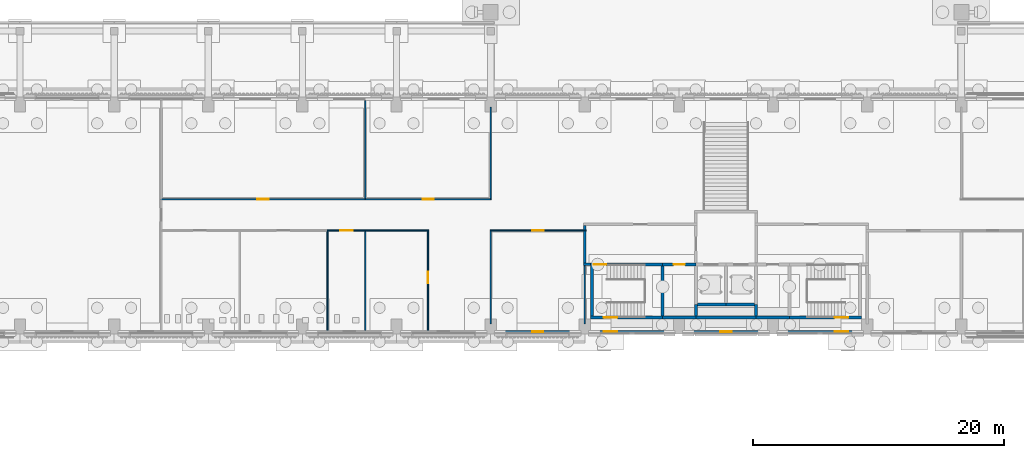
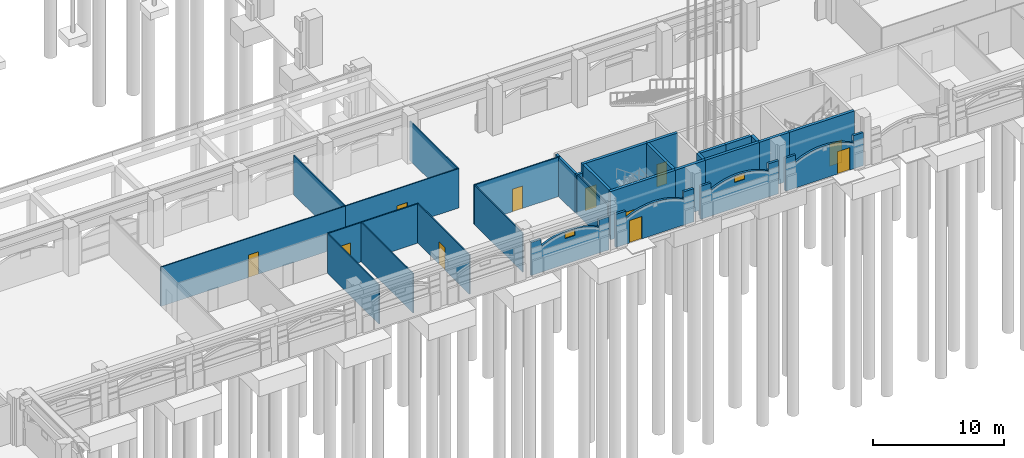
# One storey, part 34 of 99: 32 walls, 11 doors, 2 windows, 13 openings.
"""IFC4 building model written with IfcOpenShell, lengths in metres."""

from ifc_helpers import new_model, si_unit, direction, frame, frame_2d, origin, place, context, subcontext, project, spatial, polyline, rectangle, outline, extrude, material, layer, layer_set, type_object, element, fill, save


model = new_model("IFC4")

# Units and contexts
model_context = context("Model", 3, precision=1e-05, world=origin(), true_north=direction((0.0, 1.0)))
body_context = subcontext(model_context, "Body", "Model", "MODEL_VIEW")
ifc_project = project(units=[si_unit("LENGTHUNIT", "METRE"), si_unit("AREAUNIT", "SQUARE_METRE"), si_unit("VOLUMEUNIT", "CUBIC_METRE"), si_unit("PLANEANGLEUNIT", "RADIAN"), si_unit("MASSUNIT", "GRAM", prefix="KILO")], contexts=[model_context])

# Site, building, storey
site_placement = place(None, origin())
site = spatial("IfcSite", under=ifc_project, at=site_placement, CompositionType="ELEMENT")
building_placement = place(site_placement, origin())
building = spatial("IfcBuilding", under=site, at=building_placement, Name="Cour d'Honneur Mobility Palace", CompositionType="ELEMENT")
storey_placement = place(building_placement, origin())
storey = spatial("IfcBuildingStorey", under=building, at=storey_placement, Name="L00", CompositionType="ELEMENT", Elevation=0.0)

# Wall, opening, window
ifc_material_1 = material(Name="Concrete C40", Category="concrete")
ifc_layer_1 = layer(ifc_material_1, 0.199951171875)
ifc_layer_set_1 = layer_set([ifc_layer_1], Name="Concrete C40")
wall_type_1 = type_object("IfcWallType", Name="Arch infill panel", PredefinedType="SOLIDWALL", material=ifc_layer_set_1)
wall_1_placement = place(storey_placement, frame((62.699951171875, 44.449951171875, 0.0), z_axis=(0.0, 0.0, 1.0), x_axis=(1.0, 0.0, 0.0)))
wall_1 = element("IfcWall", 1, at=wall_1_placement, inside=storey, type_object=wall_type_1, Name="Arch infill panel IP-15", PredefinedType="SOLIDWALL", context=body_context, shape_type="SweptSolid", body=[
    extrude(outline(polyline([(0.0, 0.0), (6.900146484375, 0.0), (6.89990234375, 3.10009765625), (6.001953125, 3.10009765625), (6.0, 2.39990234375), (5.68115234375, 2.560302734375), (5.362548828125, 2.69482421875), (5.043701171875, 2.805908203125), (4.72509765625, 2.895263671875), (4.40625, 2.96337890625), (4.08740234375, 3.01171875), (3.768798828125, 3.04052734375), (3.449951171875, 3.050048828125), (3.13134765625, 3.04052734375), (2.8125, 3.01171875), (2.49365234375, 2.96337890625), (2.175048828125, 2.895263671875), (1.856201171875, 2.805908203125), (1.53759765625, 2.69482421875), (1.21875, 2.560302734375), (0.89990234375, 2.39990234375), (0.89794921875, 3.10009765625), (0.0, 3.10009765625), (0.0, 0.0)])), frame((0.0, 0.10009765625, 0.0), z_axis=(0.0, -1.0, 0.0), x_axis=(1.0, 0.0, 0.0)), (0.0, 0.0, 1.0), 0.199951171875),
])
opening_1_placement = place(wall_1_placement, frame((3.0, 0.0, 2.39990234375)))
opening_1 = element("IfcOpeningElement", 2, at=opening_1_placement, cuts=wall_1, Name="Opening WH-12", PredefinedType="OPENING", context=body_context, shape_type="SweptSolid", body=[
    extrude(rectangle(XDim=0.89990234375, YDim=0.531005859375, at=frame_2d((0.449951171875, 0.265625))), frame((0.0, 0.10986328125, 0.0), z_axis=(0.0, -1.0, 0.0), x_axis=(1.0, 0.0, 0.0)), (0.0, 0.0, 1.0), 0.219970703125),
])
ifc_material_2 = material(Name="Aluminium frame and glass", Category="aluminium")
window_type = type_object("IfcWindowType", Name="High-level window 531", PartitioningType="SINGLE_PANEL", PredefinedType="WINDOW", material=ifc_material_2)
window_1_placement = place(opening_1_placement, origin())
window_1 = element("IfcWindow", 3, at=window_1_placement, inside=storey, type_object=window_type, Name="High-level window 531 WH-12", OverallHeight=0.531005859375, OverallWidth=0.89990234375, PartitioningType="SINGLE_PANEL", PredefinedType="WINDOW", context=body_context, shape_type="SweptSolid", body=[
    extrude(rectangle(XDim=0.89990234375, YDim=0.531005859375, at=frame_2d((0.449951171875, 0.265625))), frame((0.0, 0.030029296875, 0.0), z_axis=(0.0, -1.0, 0.0), x_axis=(1.0, 0.0, 0.0)), (0.0, 0.0, 1.0), 0.06005859375),
])
fill(opening_1, window_1)

# Wall, opening, door
wall_2_placement = place(storey_placement, frame((70.199951171875, 44.449951171875, 0.0), z_axis=(0.0, 0.0, 1.0), x_axis=(1.0, 0.0, 0.0)))
wall_2 = element("IfcWall", 4, at=wall_2_placement, inside=storey, type_object=wall_type_1, Name="Arch infill panel IP-16", PredefinedType="SOLIDWALL", context=body_context, shape_type="SweptSolid", body=[
    extrude(outline(polyline([(0.0, 0.0), (6.900146484375, 0.0), (6.89990234375, 3.10009765625), (6.001953125, 3.10009765625), (6.0, 2.39990234375), (5.68115234375, 2.560302734375), (5.362548828125, 2.69482421875), (5.043701171875, 2.805908203125), (4.72509765625, 2.895263671875), (4.40625, 2.96337890625), (4.08740234375, 3.01171875), (3.768798828125, 3.04052734375), (3.449951171875, 3.050048828125), (3.13134765625, 3.04052734375), (2.8125, 3.01171875), (2.49365234375, 2.96337890625), (2.175048828125, 2.895263671875), (1.856201171875, 2.805908203125), (1.53759765625, 2.69482421875), (1.21875, 2.560302734375), (0.89990234375, 2.39990234375), (0.89794921875, 3.10009765625), (0.0, 3.10009765625), (0.0, 0.0)])), frame((0.0, 0.10009765625, 0.0), z_axis=(0.0, -1.0, 0.0), x_axis=(1.0, 0.0, 0.0)), (0.0, 0.0, 1.0), 0.199951171875),
])
opening_2_placement = place(wall_2_placement, frame((1.199951171875, 0.0, 0.0)))
opening_2 = element("IfcOpeningElement", 5, at=opening_2_placement, cuts=wall_2, Name="Opening D3-2", PredefinedType="OPENING", context=body_context, shape_type="SweptSolid", body=[
    extrude(rectangle(XDim=1.10009765625, YDim=2.10009765625, at=frame_2d((0.550048828125, 1.050048828125))), frame((0.0, 0.10986328125, 0.0), z_axis=(0.0, -1.0, 0.0), x_axis=(1.0, 0.0, 0.0)), (0.0, 0.0, 1.0), 0.219970703125),
])
ifc_material_3 = material(Name="Painted steel", Category="steel")
door_type_1 = type_object("IfcDoorType", Name="Exit door 1100", OperationType="SINGLE_SWING_LEFT", PredefinedType="DOOR", material=ifc_material_3)
door_1_placement = place(opening_2_placement, frame((1.10009765625, 0.0, 0.0), z_axis=(0.0, 0.0, 1.0), x_axis=(-1.0, 0.0, 0.0)))
door_1 = element("IfcDoor", 6, at=door_1_placement, inside=storey, type_object=door_type_1, Name="Exit door 1100 D3-2", OperationType="SINGLE_SWING_LEFT", OverallHeight=2.10009765625, OverallWidth=1.10009765625, PredefinedType="DOOR", context=body_context, shape_type="SweptSolid", body=[
    extrude(rectangle(XDim=1.10009765625, YDim=2.10009765625, at=frame_2d((0.550048828125, 1.050048828125))), frame((0.0, 0.02490234375, 0.0), z_axis=(0.0, -1.0, 0.0), x_axis=(1.0, 0.0, 0.0)), (0.0, 0.0, 1.0), 0.050048828125),
])
fill(opening_2, door_1)

# Wall, opening, window
wall_3_placement = place(storey_placement, frame((77.699951171875, 44.449951171875, 0.0), z_axis=(0.0, 0.0, 1.0), x_axis=(1.0, 0.0, 0.0)))
wall_3 = element("IfcWall", 7, at=wall_3_placement, inside=storey, type_object=wall_type_1, Name="Arch infill panel IP-17", PredefinedType="SOLIDWALL", context=body_context, shape_type="SweptSolid", body=[
    extrude(outline(polyline([(0.0, 0.0), (6.900146484375, 0.0), (6.89990234375, 3.10009765625), (6.001953125, 3.10009765625), (6.0, 2.39990234375), (5.68115234375, 2.560302734375), (5.362548828125, 2.69482421875), (5.043701171875, 2.805908203125), (4.72509765625, 2.895263671875), (4.40625, 2.96337890625), (4.08740234375, 3.01171875), (3.768798828125, 3.04052734375), (3.449951171875, 3.050048828125), (3.13134765625, 3.04052734375), (2.8125, 3.01171875), (2.49365234375, 2.96337890625), (2.175048828125, 2.895263671875), (1.856201171875, 2.805908203125), (1.53759765625, 2.69482421875), (1.21875, 2.560302734375), (0.89990234375, 2.39990234375), (0.89794921875, 3.10009765625), (0.0, 3.10009765625), (0.0, 0.0)])), frame((0.0, 0.10009765625, 0.0), z_axis=(0.0, -1.0, 0.0), x_axis=(1.0, 0.0, 0.0)), (0.0, 0.0, 1.0), 0.199951171875),
])
opening_3_placement = place(wall_3_placement, frame((3.0, 0.0, 2.39990234375)))
opening_3 = element("IfcOpeningElement", 8, at=opening_3_placement, cuts=wall_3, Name="Opening WH-13", PredefinedType="OPENING", context=body_context, shape_type="SweptSolid", body=[
    extrude(rectangle(XDim=0.89990234375, YDim=0.531005859375, at=frame_2d((0.449951171875, 0.265625))), frame((0.0, 0.10986328125, 0.0), z_axis=(0.0, -1.0, 0.0), x_axis=(1.0, 0.0, 0.0)), (0.0, 0.0, 1.0), 0.219970703125),
])
window_2_placement = place(opening_3_placement, origin())
window_2 = element("IfcWindow", 9, at=window_2_placement, inside=storey, type_object=window_type, Name="High-level window 531 WH-13", OverallHeight=0.531005859375, OverallWidth=0.89990234375, PartitioningType="SINGLE_PANEL", PredefinedType="WINDOW", context=body_context, shape_type="SweptSolid", body=[
    extrude(rectangle(XDim=0.89990234375, YDim=0.531005859375, at=frame_2d((0.449951171875, 0.265625))), frame((0.0, 0.030029296875, 0.0), z_axis=(0.0, -1.0, 0.0), x_axis=(1.0, 0.0, 0.0)), (0.0, 0.0, 1.0), 0.06005859375),
])
fill(opening_3, window_2)

# Wall, opening, door
wall_4_placement = place(storey_placement, frame((85.199951171875, 44.449951171875, 0.0), z_axis=(0.0, 0.0, 1.0), x_axis=(1.0, 0.0, 0.0)))
wall_4 = element("IfcWall", 10, at=wall_4_placement, inside=storey, type_object=wall_type_1, Name="Arch infill panel IP-18", PredefinedType="SOLIDWALL", context=body_context, shape_type="SweptSolid", body=[
    extrude(outline(polyline([(0.0, 0.0), (6.900146484375, 0.0), (6.89990234375, 3.10009765625), (6.001953125, 3.10009765625), (6.0, 2.39990234375), (5.68115234375, 2.560302734375), (5.362548828125, 2.69482421875), (5.043701171875, 2.805908203125), (4.72509765625, 2.895263671875), (4.40625, 2.96337890625), (4.08740234375, 3.01171875), (3.768798828125, 3.04052734375), (3.449951171875, 3.050048828125), (3.13134765625, 3.04052734375), (2.8125, 3.01171875), (2.49365234375, 2.96337890625), (2.175048828125, 2.895263671875), (1.856201171875, 2.805908203125), (1.53759765625, 2.69482421875), (1.21875, 2.560302734375), (0.89990234375, 2.39990234375), (0.89794921875, 3.10009765625), (0.0, 3.10009765625), (0.0, 0.0)])), frame((0.0, 0.10009765625, 0.0), z_axis=(0.0, -1.0, 0.0), x_axis=(1.0, 0.0, 0.0)), (0.0, 0.0, 1.0), 0.199951171875),
])
opening_4_placement = place(wall_4_placement, frame((4.60009765625, 0.0, 0.0)))
opening_4 = element("IfcOpeningElement", 11, at=opening_4_placement, cuts=wall_4, Name="Opening D3-3", PredefinedType="OPENING", context=body_context, shape_type="SweptSolid", body=[
    extrude(rectangle(XDim=1.10009765625, YDim=2.10009765625, at=frame_2d((0.550048828125, 1.050048828125))), frame((0.0, 0.10986328125, 0.0), z_axis=(0.0, -1.0, 0.0), x_axis=(1.0, 0.0, 0.0)), (0.0, 0.0, 1.0), 0.219970703125),
])
door_2_placement = place(opening_4_placement, frame((1.10009765625, 0.0, 0.0), z_axis=(0.0, 0.0, 1.0), x_axis=(-1.0, 0.0, 0.0)))
door_2 = element("IfcDoor", 12, at=door_2_placement, inside=storey, type_object=door_type_1, Name="Exit door 1100 D3-3", OperationType="SINGLE_SWING_LEFT", OverallHeight=2.10009765625, OverallWidth=1.10009765625, PredefinedType="DOOR", context=body_context, shape_type="SweptSolid", body=[
    extrude(rectangle(XDim=1.10009765625, YDim=2.10009765625, at=frame_2d((0.550048828125, 1.050048828125))), frame((0.0, 0.02490234375, 0.0), z_axis=(0.0, -1.0, 0.0), x_axis=(1.0, 0.0, 0.0)), (0.0, 0.0, 1.0), 0.050048828125),
])
fill(opening_4, door_2)

# Walls
ifc_material_4 = material(Name="Concrete C50", Category="concrete")
ifc_layer_2 = layer(ifc_material_4, 0.25)
ifc_layer_set_2 = layer_set([ifc_layer_2], Name="Concrete C50")
wall_type_2 = type_object("IfcWallType", Name="Lift shaft wall 250", PredefinedType="SHEAR", material=ifc_layer_set_2)
wall_5_placement = place(storey_placement, frame((78.875, 46.60009765625, -1.39990234375), z_axis=(0.0, 0.0, 1.0), x_axis=(1.0, 0.0, 0.0)))
element("IfcWall", 13, at=wall_5_placement, inside=storey, type_object=wall_type_2, Name="Lift shaft wall WL-CC6 L00", PredefinedType="SHEAR", context=body_context, shape_type="SweptSolid", body=[
    extrude(rectangle(XDim=2.27490234375, YDim=0.25, at=frame_2d((1.137451171875, 0.0))), origin(), (0.0, 0.0, 1.0), 5.89990234375),
])
wall_6_placement = place(storey_placement, frame((81.14990234375, 46.60009765625, -1.39990234375), z_axis=(0.0, 0.0, 1.0), x_axis=(1.0, 0.0, 0.0)))
element("IfcWall", 14, at=wall_6_placement, inside=storey, type_object=wall_type_2, Name="Lift shaft wall WL-CC7 L00", PredefinedType="SHEAR", context=body_context, shape_type="SweptSolid", body=[
    extrude(rectangle(XDim=2.275146484375, YDim=0.25, at=frame_2d((1.1376953125, 0.0))), origin(), (0.0, 0.0, 1.0), 5.89990234375),
])
ifc_material_5 = material(Name="Gypsum plasterboard")
ifc_layer_3 = layer(ifc_material_5, 0.10009765625)
ifc_layer_set_3 = layer_set([ifc_layer_3], Name="Gypsum plasterboard")
wall_type_3 = type_object("IfcWallType", Name="Partition 100", PredefinedType="PARTITIONING", material=ifc_layer_set_3)
for number, where, z_axis, x_axis, name in (
    (15, (49.39990234375, 44.550048828125, 0.0), (0.0, 0.0, 1.0), (0.0, 1.0, 0.0), "Partition 032"),
    (16, (52.39990234375, 44.550048828125, 0.0), (0.0, 0.0, 1.0), (0.0, 1.0, 0.0), "Partition 033"),
):
    element("IfcWall", number, at=place(storey_placement, frame(where, z_axis=z_axis, x_axis=x_axis)), inside=storey, type_object=wall_type_3, Name=name, PredefinedType="PARTITIONING", context=body_context, shape_type="SweptSolid", body=[
        extrude(rectangle(XDim=7.89990234375, YDim=0.10009765625, at=frame_2d((3.949951171875, 0.0))), origin(), (0.0, 0.0, 1.0), 3.679931640625),
    ])

# Wall, opening, door
wall_7_placement = place(storey_placement, frame((57.39990234375, 44.550048828125, 0.0), z_axis=(0.0, 0.0, 1.0), x_axis=(0.0, 1.0, 0.0)))
wall_7 = element("IfcWall", 17, at=wall_7_placement, inside=storey, type_object=wall_type_3, Name="Partition 034", PredefinedType="PARTITIONING", context=body_context, shape_type="SweptSolid", body=[
    extrude(rectangle(XDim=7.89990234375, YDim=0.10009765625, at=frame_2d((3.949951171875, 0.0))), origin(), (0.0, 0.0, 1.0), 3.679931640625),
])
opening_5_placement = place(wall_7_placement, frame((3.7548828125, 0.0, 0.0)))
opening_5 = element("IfcOpeningElement", 18, at=opening_5_placement, cuts=wall_7, Name="Opening D0020", PredefinedType="OPENING", context=body_context, shape_type="SweptSolid", body=[
    extrude(rectangle(XDim=0.89990234375, YDim=2.10009765625, at=frame_2d((0.449951171875, 1.050048828125))), frame((0.0, 0.06005859375, 0.0), z_axis=(0.0, -1.0, 0.0), x_axis=(1.0, 0.0, 0.0)), (0.0, 0.0, 1.0), 0.1201171875),
])
ifc_material_6 = material(Name="Solid timber", Category="wood")
door_type_2 = type_object("IfcDoorType", Name="Single door 900 x 2100", OperationType="SINGLE_SWING_LEFT", PredefinedType="DOOR", material=ifc_material_6)
door_3_placement = place(opening_5_placement, origin())
door_3 = element("IfcDoor", 19, at=door_3_placement, inside=storey, type_object=door_type_2, Name="Door Cleaner's Store", OperationType="SINGLE_SWING_LEFT", OverallHeight=2.10009765625, OverallWidth=0.89990234375, PredefinedType="DOOR", context=body_context, shape_type="SweptSolid", body=[
    extrude(rectangle(XDim=0.89990234375, YDim=2.10009765625, at=frame_2d((0.449951171875, 1.050048828125))), frame((0.0, 0.02490234375, 0.0), z_axis=(0.0, -1.0, 0.0), x_axis=(1.0, 0.0, 0.0)), (0.0, 0.0, 1.0), 0.050048828125),
])
fill(opening_5, door_3)

# Wall
wall_8_placement = place(storey_placement, frame((69.89990234375, 45.06005859375, 0.0), z_axis=(0.0, 0.0, 1.0), x_axis=(0.0, 1.0, 0.0)))
element("IfcWall", 20, at=wall_8_placement, inside=storey, type_object=wall_type_3, Name="Partition 035", PredefinedType="PARTITIONING", context=body_context, shape_type="SweptSolid", body=[
    extrude(rectangle(XDim=4.639892578125, YDim=0.10009765625, at=frame_2d((2.31982421875, 0.0))), origin(), (0.0, 0.0, 1.0), 3.679931640625),
])

# Wall, opening, door
wall_9_placement = place(storey_placement, frame((52.39990234375, 52.5, 0.0), z_axis=(0.0, 0.0, 1.0), x_axis=(-1.0, 0.0, 0.0)))
wall_9 = element("IfcWall", 21, at=wall_9_placement, inside=storey, type_object=wall_type_3, Name="Partition 051", PredefinedType="PARTITIONING", context=body_context, shape_type="SweptSolid", body=[
    extrude(rectangle(XDim=3.0, YDim=0.10009765625, at=frame_2d((1.5, 0.0))), origin(), (0.0, 0.0, 1.0), 3.679931640625),
])
opening_6_placement = place(wall_9_placement, frame((1.0, 0.0, 0.0)))
opening_6 = element("IfcOpeningElement", 22, at=opening_6_placement, cuts=wall_9, Name="Opening D0019", PredefinedType="OPENING", context=body_context, shape_type="SweptSolid", body=[
    extrude(rectangle(XDim=1.0, YDim=2.10009765625, at=frame_2d((0.5, 1.050048828125))), frame((0.0, 0.06005859375, 0.0), z_axis=(0.0, -1.0, 0.0), x_axis=(1.0, 0.0, 0.0)), (0.0, 0.0, 1.0), 0.1201171875),
])
ifc_material_7 = material(Name="Solid timber", Category="wood")
door_type_3 = type_object("IfcDoorType", Name="Accessible door 1000 x 2100", OperationType="SINGLE_SWING_LEFT", PredefinedType="DOOR", material=ifc_material_7)
door_4_placement = place(opening_6_placement, origin())
door_4 = element("IfcDoor", 23, at=door_4_placement, inside=storey, type_object=door_type_3, Name="Door Accessible WC", OperationType="SINGLE_SWING_RIGHT", OverallHeight=2.10009765625, OverallWidth=1.0, PredefinedType="DOOR", context=body_context, shape_type="SweptSolid", body=[
    extrude(rectangle(XDim=1.0, YDim=2.10009765625, at=frame_2d((0.5, 1.050048828125))), frame((0.0, 0.02490234375, 0.0), z_axis=(0.0, -1.0, 0.0), x_axis=(1.0, 0.0, 0.0)), (0.0, 0.0, 1.0), 0.050048828125),
])
fill(opening_6, door_4)

# Walls
wall_10_placement = place(storey_placement, frame((57.449951171875, 52.5, 0.0), z_axis=(0.0, 0.0, 1.0), x_axis=(-1.0, 0.0, 0.0)))
element("IfcWall", 24, at=wall_10_placement, inside=storey, type_object=wall_type_3, Name="Partition 052", PredefinedType="PARTITIONING", context=body_context, shape_type="SweptSolid", body=[
    extrude(rectangle(XDim=5.050048828125, YDim=0.10009765625, at=frame_2d((2.52490234375, 0.0))), origin(), (0.0, 0.0, 1.0), 3.679931640625),
])
wall_11_placement = place(storey_placement, frame((62.39990234375, 52.449951171875, 0.0), z_axis=(0.0, 0.0, 1.0), x_axis=(0.0, -1.0, 0.0)))
element("IfcWall", 25, at=wall_11_placement, inside=storey, type_object=wall_type_3, Name="Partition 053", PredefinedType="PARTITIONING", context=body_context, shape_type="SweptSolid", body=[
    extrude(rectangle(XDim=7.389892578125, YDim=0.10009765625, at=frame_2d((3.69482421875, 0.0))), origin(), (0.0, 0.0, 1.0), 3.679931640625),
])

# Wall, opening, door
wall_12_placement = place(storey_placement, frame((70.0, 52.5, 0.0), z_axis=(0.0, 0.0, 1.0), x_axis=(-1.0, 0.0, 0.0)))
wall_12 = element("IfcWall", 26, at=wall_12_placement, inside=storey, type_object=wall_type_3, Name="Partition 055", PredefinedType="PARTITIONING", context=body_context, shape_type="SweptSolid", body=[
    extrude(rectangle(XDim=7.64990234375, YDim=0.10009765625, at=frame_2d((3.824951171875, 0.0))), origin(), (0.0, 0.0, 1.0), 3.679931640625),
])
opening_7_placement = place(wall_12_placement, frame((3.375, 0.0, 0.0)))
opening_7 = element("IfcOpeningElement", 27, at=opening_7_placement, cuts=wall_12, Name="Opening D0021", PredefinedType="OPENING", context=body_context, shape_type="SweptSolid", body=[
    extrude(rectangle(XDim=0.89990234375, YDim=2.10009765625, at=frame_2d((0.449951171875, 1.050048828125))), frame((0.0, 0.06005859375, 0.0), z_axis=(0.0, -1.0, 0.0), x_axis=(1.0, 0.0, 0.0)), (0.0, 0.0, 1.0), 0.1201171875),
])
door_5_placement = place(opening_7_placement, origin())
door_5 = element("IfcDoor", 28, at=door_5_placement, inside=storey, type_object=door_type_2, Name="Door Security Room", OperationType="SINGLE_SWING_RIGHT", OverallHeight=2.10009765625, OverallWidth=0.89990234375, PredefinedType="DOOR", context=body_context, shape_type="SweptSolid", body=[
    extrude(rectangle(XDim=0.89990234375, YDim=2.10009765625, at=frame_2d((0.449951171875, 1.050048828125))), frame((0.0, 0.02490234375, 0.0), z_axis=(0.0, -1.0, 0.0), x_axis=(1.0, 0.0, 0.0)), (0.0, 0.0, 1.0), 0.050048828125),
])
fill(opening_7, door_5)

wall_13_placement = place(storey_placement, frame((36.10009765625, 55.0, 0.0), z_axis=(0.0, 0.0, 1.0), x_axis=(1.0, 0.0, 0.0)))
wall_13 = element("IfcWall", 29, at=wall_13_placement, inside=storey, type_object=wall_type_3, Name="Partition 076", PredefinedType="PARTITIONING", context=body_context, shape_type="SweptSolid", body=[
    extrude(rectangle(XDim=16.2998046875, YDim=0.10009765625, at=frame_2d((8.14990234375, 0.0))), origin(), (0.0, 0.0, 1.0), 3.679931640625),
])
opening_8_placement = place(wall_13_placement, frame((7.699951171875, 0.0, 0.0)))
opening_8 = element("IfcOpeningElement", 30, at=opening_8_placement, cuts=wall_13, Name="Opening D0028", PredefinedType="OPENING", context=body_context, shape_type="SweptSolid", body=[
    extrude(rectangle(XDim=0.89990234375, YDim=2.10009765625, at=frame_2d((0.449951171875, 1.050048828125))), frame((0.0, 0.06005859375, 0.0), z_axis=(0.0, -1.0, 0.0), x_axis=(1.0, 0.0, 0.0)), (0.0, 0.0, 1.0), 0.1201171875),
])
door_6_placement = place(opening_8_placement, origin())
door_6 = element("IfcDoor", 31, at=door_6_placement, inside=storey, type_object=door_type_2, Name="Door Station Cafe", OperationType="SINGLE_SWING_RIGHT", OverallHeight=2.10009765625, OverallWidth=0.89990234375, PredefinedType="DOOR", context=body_context, shape_type="SweptSolid", body=[
    extrude(rectangle(XDim=0.89990234375, YDim=2.10009765625, at=frame_2d((0.449951171875, 1.050048828125))), frame((0.0, 0.02490234375, 0.0), z_axis=(0.0, -1.0, 0.0), x_axis=(1.0, 0.0, 0.0)), (0.0, 0.0, 1.0), 0.050048828125),
])
fill(opening_8, door_6)

wall_14_placement = place(storey_placement, frame((52.39990234375, 55.0, 0.0), z_axis=(0.0, 0.0, 1.0), x_axis=(1.0, 0.0, 0.0)))
wall_14 = element("IfcWall", 32, at=wall_14_placement, inside=storey, type_object=wall_type_3, Name="Partition 078", PredefinedType="PARTITIONING", context=body_context, shape_type="SweptSolid", body=[
    extrude(rectangle(XDim=10.050048828125, YDim=0.10009765625, at=frame_2d((5.02490234375, 0.0))), origin(), (0.0, 0.0, 1.0), 3.679931640625),
])
opening_9_placement = place(wall_14_placement, frame((4.574951171875, 0.0, 0.0)))
opening_9 = element("IfcOpeningElement", 33, at=opening_9_placement, cuts=wall_14, Name="Opening D0029", PredefinedType="OPENING", context=body_context, shape_type="SweptSolid", body=[
    extrude(rectangle(XDim=0.89990234375, YDim=2.10009765625, at=frame_2d((0.449951171875, 1.050048828125))), frame((0.0, 0.06005859375, 0.0), z_axis=(0.0, -1.0, 0.0), x_axis=(1.0, 0.0, 0.0)), (0.0, 0.0, 1.0), 0.1201171875),
])
door_7_placement = place(opening_9_placement, origin())
door_7 = element("IfcDoor", 34, at=door_7_placement, inside=storey, type_object=door_type_2, Name="Door Newsagent Kiosk", OperationType="SINGLE_SWING_LEFT", OverallHeight=2.10009765625, OverallWidth=0.89990234375, PredefinedType="DOOR", context=body_context, shape_type="SweptSolid", body=[
    extrude(rectangle(XDim=0.89990234375, YDim=2.10009765625, at=frame_2d((0.449951171875, 1.050048828125))), frame((0.0, 0.02490234375, 0.0), z_axis=(0.0, -1.0, 0.0), x_axis=(1.0, 0.0, 0.0)), (0.0, 0.0, 1.0), 0.050048828125),
])
fill(opening_9, door_7)

# Walls
wall_15_placement = place(storey_placement, frame((52.39990234375, 55.050048828125, 0.0), z_axis=(0.0, 0.0, 1.0), x_axis=(0.0, 1.0, 0.0)))
element("IfcWall", 35, at=wall_15_placement, inside=storey, type_object=wall_type_3, Name="Partition 079", PredefinedType="PARTITIONING", context=body_context, shape_type="SweptSolid", body=[
    extrude(rectangle(XDim=7.800048828125, YDim=0.10009765625, at=frame_2d((3.89990234375, 0.0))), origin(), (0.0, 0.0, 1.0), 3.679931640625),
])
wall_16_placement = place(storey_placement, frame((62.39990234375, 55.050048828125, 0.0), z_axis=(0.0, 0.0, 1.0), x_axis=(0.0, 1.0, 0.0)))
element("IfcWall", 36, at=wall_16_placement, inside=storey, type_object=wall_type_3, Name="Partition 080", PredefinedType="PARTITIONING", context=body_context, shape_type="SweptSolid", body=[
    extrude(rectangle(XDim=7.2900390625, YDim=0.10009765625, at=frame_2d((3.64501953125, 0.0))), origin(), (0.0, 0.0, 1.0), 3.679931640625),
])
ifc_material_8 = material(Name="Gypsum plasterboard")
ifc_layer_4 = layer(ifc_material_8, 0.199951171875)
ifc_layer_set_4 = layer_set([ifc_layer_4], Name="Gypsum plasterboard")
wall_type_4 = type_object("IfcWallType", Name="Partition 200 rated EI 120", PredefinedType="PARTITIONING", material=ifc_layer_set_4)
wall_17_placement = place(storey_placement, frame((69.800048828125, 49.800048828125, 0.0), z_axis=(0.0, 0.0, 1.0), x_axis=(1.0, 0.0, 0.0)))
element("IfcWall", 37, at=wall_17_placement, inside=storey, type_object=wall_type_4, Name="Partition 042", PredefinedType="PARTITIONING", context=body_context, shape_type="SweptSolid", body=[
    extrude(rectangle(XDim=0.550048828125, YDim=0.199951171875, at=frame_2d((0.27490234375, 0.0))), origin(), (0.0, 0.0, 1.0), 3.679931640625),
])
wall_18_placement = place(storey_placement, frame((69.89990234375, 52.449951171875, 0.0), z_axis=(0.0, 0.0, 1.0), x_axis=(0.0, -1.0, 0.0)))
element("IfcWall", 38, at=wall_18_placement, inside=storey, type_object=wall_type_4, Name="Partition 054", PredefinedType="PARTITIONING", context=body_context, shape_type="SweptSolid", body=[
    extrude(rectangle(XDim=2.550048828125, YDim=0.199951171875, at=frame_2d((1.27490234375, 0.0))), origin(), (0.0, 0.0, 1.0), 3.679931640625),
])
wall_19_placement = place(storey_placement, frame((69.89990234375, 52.89990234375, 0.0), z_axis=(0.0, 0.0, 1.0), x_axis=(0.0, -1.0, 0.0)))
element("IfcWall", 39, at=wall_19_placement, inside=storey, type_object=wall_type_4, Name="Partition 067", PredefinedType="PARTITIONING", context=body_context, shape_type="SweptSolid", body=[
    extrude(rectangle(XDim=0.349853515625, YDim=0.199951171875, at=frame_2d((0.1748046875, 0.0))), origin(), (0.0, 0.0, 1.0), 3.679931640625),
])
ifc_material_9 = material(Name="Concrete C50", Category="concrete")
ifc_layer_5 = layer(ifc_material_9, 0.25)
ifc_layer_set_5 = layer_set([ifc_layer_5], Name="Concrete C50")
wall_type_5 = type_object("IfcWallType", Name="Shaft wall 250", PredefinedType="SHEAR", material=ifc_layer_set_5)
wall_20_placement = place(storey_placement, frame((76.10009765625, 45.574951171875, 0.0), z_axis=(0.0, 0.0, 1.0), x_axis=(1.0, 0.0, 0.0)))
element("IfcWall", 40, at=wall_20_placement, inside=storey, type_object=wall_type_5, Name="Shaft wall WR-CC2 L00", PredefinedType="SHEAR", context=body_context, shape_type="SweptSolid", body=[
    extrude(rectangle(XDim=2.64990234375, YDim=0.25, at=frame_2d((1.324951171875, 0.0))), origin(), (0.0, 0.0, 1.0), 4.5),
])
wall_21_placement = place(storey_placement, frame((78.75, 45.574951171875, 0.0), z_axis=(0.0, 0.0, 1.0), x_axis=(1.0, 0.0, 0.0)))
element("IfcWall", 41, at=wall_21_placement, inside=storey, type_object=wall_type_5, Name="Shaft wall WR-CC3 L00", PredefinedType="SHEAR", context=body_context, shape_type="SweptSolid", body=[
    extrude(rectangle(XDim=4.800048828125, YDim=0.25, at=frame_2d((2.39990234375, 0.0))), origin(), (0.0, 0.0, 1.0), 4.5),
])
wall_22_placement = place(storey_placement, frame((83.550048828125, 45.574951171875, 0.0), z_axis=(0.0, 0.0, 1.0), x_axis=(1.0, 0.0, 0.0)))
element("IfcWall", 42, at=wall_22_placement, inside=storey, type_object=wall_type_5, Name="Shaft wall WR-CC4 L00", PredefinedType="SHEAR", context=body_context, shape_type="SweptSolid", body=[
    extrude(rectangle(XDim=2.64990234375, YDim=0.25, at=frame_2d((1.324951171875, 0.0))), origin(), (0.0, 0.0, 1.0), 4.5),
])

# Wall, opening, door
wall_23_placement = place(storey_placement, frame((76.10009765625, 49.800048828125, 0.0), z_axis=(0.0, 0.0, 1.0), x_axis=(1.0, 0.0, 0.0)))
wall_23 = element("IfcWall", 43, at=wall_23_placement, inside=storey, type_object=wall_type_5, Name="Shaft wall WR-CC9 L00", PredefinedType="SHEAR", context=body_context, shape_type="SweptSolid", body=[
    extrude(rectangle(XDim=2.64990234375, YDim=0.25, at=frame_2d((1.324951171875, 0.0))), origin(), (0.0, 0.0, 1.0), 4.5),
])
opening_10_placement = place(wall_23_placement, frame((0.875, 0.0, 0.0)))
opening_10 = element("IfcOpeningElement", 44, at=opening_10_placement, cuts=wall_23, Name="Opening R1", PredefinedType="OPENING", context=body_context, shape_type="SweptSolid", body=[
    extrude(rectangle(XDim=0.89990234375, YDim=2.10009765625, at=frame_2d((0.449951171875, 1.050048828125))), frame((0.0, 0.135009765625, 0.0), z_axis=(0.0, -1.0, 0.0), x_axis=(1.0, 0.0, 0.0)), (0.0, 0.0, 1.0), 0.27001953125),
])
ifc_material_10 = material(Name="Galvanised steel", Category="steel")
door_type_4 = type_object("IfcDoorType", Name="Riser door FD120 900 x 2100", OperationType="SINGLE_SWING_LEFT", PredefinedType="DOOR", material=ifc_material_10)
door_8_placement = place(opening_10_placement, origin())
door_8 = element("IfcDoor", 45, at=door_8_placement, inside=storey, type_object=door_type_4, Name="Riser door CC.R1 L00", OperationType="SINGLE_SWING_LEFT", OverallHeight=2.10009765625, OverallWidth=0.89990234375, PredefinedType="DOOR", context=body_context, shape_type="SweptSolid", body=[
    extrude(rectangle(XDim=0.89990234375, YDim=2.10009765625, at=frame_2d((0.449951171875, 1.050048828125))), frame((0.0, 0.02490234375, 0.0), z_axis=(0.0, -1.0, 0.0), x_axis=(1.0, 0.0, 0.0)), (0.0, 0.0, 1.0), 0.050048828125),
])
fill(opening_10, door_8)

# Walls
for number, where, z_axis, x_axis, name in (
    (46, (78.75, 45.699951171875, 0.0), (0.0, 0.0, 1.0), (0.0, 1.0, 0.0), "Shaft wall WR-CC16 L00"),
    (47, (83.550048828125, 45.699951171875, 0.0), (0.0, 0.0, 1.0), (0.0, 1.0, 0.0), "Shaft wall WR-CC19 L00"),
):
    element("IfcWall", number, at=place(storey_placement, frame(where, z_axis=z_axis, x_axis=x_axis)), inside=storey, type_object=wall_type_5, Name=name, PredefinedType="SHEAR", context=body_context, shape_type="SweptSolid", body=[
        extrude(rectangle(XDim=0.900146484375, YDim=0.25, at=frame_2d((0.4501953125, 0.0))), origin(), (0.0, 0.0, 1.0), 4.5),
    ])

# Wall, opening, door
ifc_material_11 = material(Name="Concrete C50", Category="concrete")
ifc_layer_6 = layer(ifc_material_11, 0.25)
ifc_layer_set_6 = layer_set([ifc_layer_6], Name="Concrete C50")
wall_type_6 = type_object("IfcWallType", Name="Stair wall 250", PredefinedType="SHEAR", material=ifc_layer_set_6)
wall_24_placement = place(storey_placement, frame((70.35009765625, 45.574951171875, 0.0), z_axis=(0.0, 0.0, 1.0), x_axis=(1.0, 0.0, 0.0)))
wall_24 = element("IfcWall", 48, at=wall_24_placement, inside=storey, type_object=wall_type_6, Name="Stair wall WS-CC1 L00", PredefinedType="SHEAR", context=body_context, shape_type="SweptSolid", body=[
    extrude(rectangle(XDim=5.75, YDim=0.25, at=frame_2d((2.875, 0.0))), origin(), (0.0, 0.0, 1.0), 4.5),
])
opening_11_placement = place(wall_24_placement, frame((1.050048828125, 0.0, 0.0)))
opening_11 = element("IfcOpeningElement", 49, at=opening_11_placement, cuts=wall_24, Name="Opening D3-11", PredefinedType="OPENING", context=body_context, shape_type="SweptSolid", body=[
    extrude(rectangle(XDim=1.10009765625, YDim=2.10009765625, at=frame_2d((0.550048828125, 1.050048828125))), frame((0.0, 0.135009765625, 0.0), z_axis=(0.0, -1.0, 0.0), x_axis=(1.0, 0.0, 0.0)), (0.0, 0.0, 1.0), 0.27001953125),
])
door_9_placement = place(opening_11_placement, frame((1.10009765625, 0.0, 0.0), z_axis=(0.0, 0.0, 1.0), x_axis=(-1.0, 0.0, 0.0)))
door_9 = element("IfcDoor", 50, at=door_9_placement, inside=storey, type_object=door_type_1, Name="Exit door 1100 D3-11", OperationType="SINGLE_SWING_LEFT", OverallHeight=2.10009765625, OverallWidth=1.10009765625, PredefinedType="DOOR", context=body_context, shape_type="SweptSolid", body=[
    extrude(rectangle(XDim=1.10009765625, YDim=2.10009765625, at=frame_2d((0.550048828125, 1.050048828125))), frame((0.0, 0.02490234375, 0.0), z_axis=(0.0, -1.0, 0.0), x_axis=(1.0, 0.0, 0.0)), (0.0, 0.0, 1.0), 0.050048828125),
])
fill(opening_11, door_9)

wall_25_placement = place(storey_placement, frame((86.199951171875, 45.574951171875, 0.0), z_axis=(0.0, 0.0, 1.0), x_axis=(1.0, 0.0, 0.0)))
wall_25 = element("IfcWall", 51, at=wall_25_placement, inside=storey, type_object=wall_type_6, Name="Stair wall WS-CC5 L00", PredefinedType="SHEAR", context=body_context, shape_type="SweptSolid", body=[
    extrude(rectangle(XDim=5.75, YDim=0.25, at=frame_2d((2.875, 0.0))), origin(), (0.0, 0.0, 1.0), 4.5),
])
opening_12_placement = place(wall_25_placement, frame((3.60009765625, 0.0, 0.0)))
opening_12 = element("IfcOpeningElement", 52, at=opening_12_placement, cuts=wall_25, Name="Opening D3-12", PredefinedType="OPENING", context=body_context, shape_type="SweptSolid", body=[
    extrude(rectangle(XDim=1.10009765625, YDim=2.10009765625, at=frame_2d((0.550048828125, 1.050048828125))), frame((0.0, 0.135009765625, 0.0), z_axis=(0.0, -1.0, 0.0), x_axis=(1.0, 0.0, 0.0)), (0.0, 0.0, 1.0), 0.27001953125),
])
door_10_placement = place(opening_12_placement, frame((1.10009765625, 0.0, 0.0), z_axis=(0.0, 0.0, 1.0), x_axis=(-1.0, 0.0, 0.0)))
door_10 = element("IfcDoor", 53, at=door_10_placement, inside=storey, type_object=door_type_1, Name="Exit door 1100 D3-12", OperationType="SINGLE_SWING_LEFT", OverallHeight=2.10009765625, OverallWidth=1.10009765625, PredefinedType="DOOR", context=body_context, shape_type="SweptSolid", body=[
    extrude(rectangle(XDim=1.10009765625, YDim=2.10009765625, at=frame_2d((0.550048828125, 1.050048828125))), frame((0.0, 0.02490234375, 0.0), z_axis=(0.0, -1.0, 0.0), x_axis=(1.0, 0.0, 0.0)), (0.0, 0.0, 1.0), 0.050048828125),
])
fill(opening_12, door_10)

wall_26_placement = place(storey_placement, frame((70.35009765625, 49.800048828125, 0.0), z_axis=(0.0, 0.0, 1.0), x_axis=(1.0, 0.0, 0.0)))
wall_26 = element("IfcWall", 54, at=wall_26_placement, inside=storey, type_object=wall_type_6, Name="Stair wall WS-CC8 L00", PredefinedType="SHEAR", context=body_context, shape_type="SweptSolid", body=[
    extrude(rectangle(XDim=5.75, YDim=0.25, at=frame_2d((2.875, 0.0))), origin(), (0.0, 0.0, 1.0), 4.5),
])
opening_13_placement = place(wall_26_placement, frame((0.27490234375, 0.0, 0.0)))
opening_13 = element("IfcOpeningElement", 55, at=opening_13_placement, cuts=wall_26, Name="Opening S85", PredefinedType="OPENING", context=body_context, shape_type="SweptSolid", body=[
    extrude(rectangle(XDim=1.0, YDim=2.10009765625, at=frame_2d((0.5, 1.050048828125))), frame((0.0, 0.135009765625, 0.0), z_axis=(0.0, -1.0, 0.0), x_axis=(1.0, 0.0, 0.0)), (0.0, 0.0, 1.0), 0.27001953125),
])
ifc_material_12 = material(Name="Galvanised steel", Category="steel")
door_type_5 = type_object("IfcDoorType", Name="Fire door FD120 stair 1000 x 2100", OperationType="SINGLE_SWING_LEFT", PredefinedType="DOOR", material=ifc_material_12)
door_11_placement = place(opening_13_placement, origin())
door_11 = element("IfcDoor", 56, at=door_11_placement, inside=storey, type_object=door_type_5, Name="Stair door ST-CC1 L00", OperationType="SINGLE_SWING_LEFT", OverallHeight=2.10009765625, OverallWidth=1.0, PredefinedType="DOOR", context=body_context, shape_type="SweptSolid", body=[
    extrude(rectangle(XDim=1.0, YDim=2.10009765625, at=frame_2d((0.5, 1.050048828125))), frame((0.0, 0.02490234375, 0.0), z_axis=(0.0, -1.0, 0.0), x_axis=(1.0, 0.0, 0.0)), (0.0, 0.0, 1.0), 0.050048828125),
])
fill(opening_13, door_11)

# Walls
for number, where, z_axis, x_axis, name in (
    (57, (70.47509765625, 45.699951171875, 0.0), (0.0, 0.0, 1.0), (0.0, 1.0, 0.0), "Stair wall WS-CC14 L00"),
    (58, (76.10009765625, 45.699951171875, 0.0), (0.0, 0.0, 1.0), (0.0, 1.0, 0.0), "Stair wall WS-CC15 L00"),
):
    element("IfcWall", number, at=place(storey_placement, frame(where, z_axis=z_axis, x_axis=x_axis)), inside=storey, type_object=wall_type_6, Name=name, PredefinedType="SHEAR", context=body_context, shape_type="SweptSolid", body=[
        extrude(rectangle(XDim=3.97509765625, YDim=0.25, at=frame_2d((1.987548828125, 0.0))), origin(), (0.0, 0.0, 1.0), 4.5),
    ])

save(model, "model.ifc")
